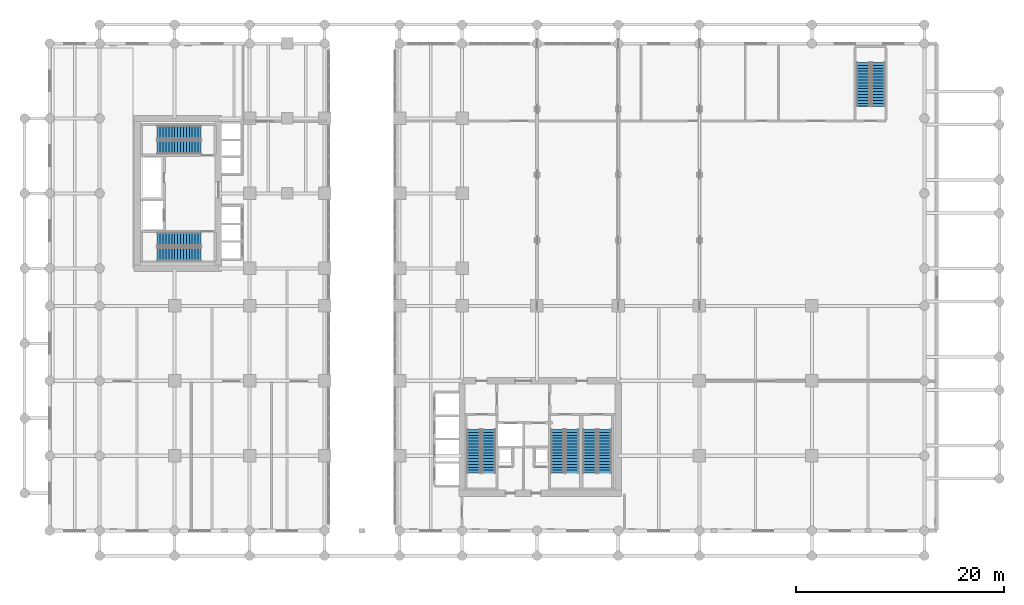
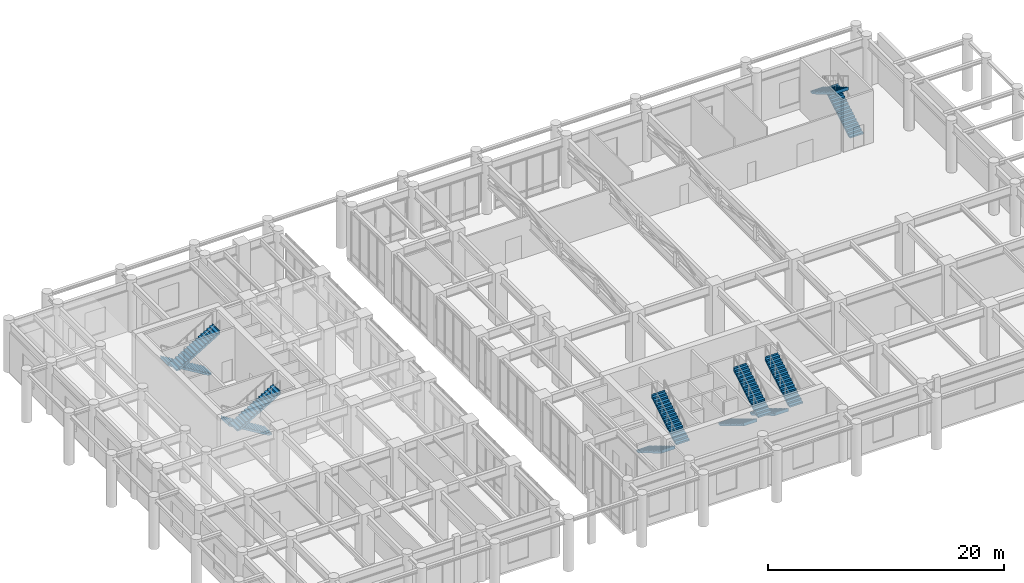
# One storey, part 20 of 24: 12 stair flights, 6 elements without a shape of their own.
"""IFC4 building model written with IfcOpenShell, lengths in metres."""

import ifcopenshell
import ifcopenshell.guid

model = None  # the IFC model being written
_history = None  # IfcOwnerHistory: only IFC2X3 demands one
_inside = {}  # id of a spatial element -> (the spatial element, [elements in it])
_under = {}  # id of a project, library or spatial element -> (it, [spatial elements below it])
_declared = {}  # id of a project -> (the project, [libraries it declares])
_typed = {}  # id of a type object -> (the type object, [elements of that type])
_made_of = {}  # id of a material, layer set ... -> (it, [elements and type objects made of it])


def new_model(schema):
    """Start an empty IFC model of exactly this schema.

    Asked for "IFC4X3", IfcOpenShell would pick the latest addendum, in which some entities
    have other attributes; the version numbers below select the first issue.
    IFC2X3 requires an IfcOwnerHistory on every rooted entity: one is made here for all.
    """
    global model, _history
    if schema == "IFC4X3":
        model = ifcopenshell.file(schema_version=(4, 3, 0, 0))
    else:
        model = ifcopenshell.file(schema=schema)
    _inside.clear()
    _under.clear()
    _declared.clear()
    _typed.clear()
    _made_of.clear()
    _history = None
    if model.schema == "IFC2X3":
        org = make("IfcOrganization", Name="unknown")
        user = make(
            "IfcPersonAndOrganization",
            ThePerson=make("IfcPerson", FamilyName="unknown"),
            TheOrganization=org,
        )
        app = make(
            "IfcApplication",
            ApplicationDeveloper=org,
            Version="unknown",
            ApplicationFullName="unknown",
            ApplicationIdentifier="unknown",
        )
        _history = make(
            "IfcOwnerHistory",
            OwningUser=user,
            OwningApplication=app,
            ChangeAction="ADDED",
            CreationDate=0,
        )
    return model


def make(cls, **values):
    """One entity of the class cls with the attributes given. An attribute that is None is left unset."""
    return model.create_entity(
        cls, **{name: value for name, value in values.items() if value is not None}
    )


def rooted(cls, **values):
    """An entity with a GlobalId (a new one), such as an element, a storey or a relation."""
    return make(cls, GlobalId=ifcopenshell.guid.new(), OwnerHistory=_history, **values)


def si_unit(unit_type, name, prefix=None):
    """IfcSIUnit, for example si_unit("LENGTHUNIT", "METRE", prefix="MILLI")."""
    return make("IfcSIUnit", UnitType=unit_type, Prefix=prefix, Name=name)


def derived_unit(unit_type, elements):
    """IfcDerivedUnit: a product of units, each with its exponent."""
    return make(
        "IfcDerivedUnit",
        Elements=[
            make("IfcDerivedUnitElement", Unit=unit, Exponent=power)
            for unit, power in elements
        ],
        UnitType=unit_type,
    )


def assignment(units):
    """IfcUnitAssignment: the units of a project."""
    return None if units is None else make("IfcUnitAssignment", Units=units)


def point(xyz):
    """IfcCartesianPoint."""
    return None if xyz is None else make("IfcCartesianPoint", Coordinates=xyz)


def direction(xyz):
    """IfcDirection."""
    return None if xyz is None else make("IfcDirection", DirectionRatios=xyz)


def frame(location, z_axis=None, x_axis=None):
    """IfcAxis2Placement3D, a coordinate frame: its origin and axes. An axis left out is left unset."""
    return make(
        "IfcAxis2Placement3D",
        Location=point(location),
        Axis=direction(z_axis),
        RefDirection=direction(x_axis),
    )


def origin():
    """The frame at (0, 0, 0) with its axes left unset."""
    return frame((0.0, 0.0, 0.0))


def place(relative_to, where):
    """IfcLocalPlacement: puts the frame where relative to a parent placement (None: the world)."""
    return make(
        "IfcLocalPlacement", PlacementRelTo=relative_to, RelativePlacement=where
    )


def context(
    kind, dimensions, precision=None, world=None, true_north=None, identifier=None
):
    """IfcGeometricRepresentationContext, for example the 3D "Model" context."""
    return make(
        "IfcGeometricRepresentationContext",
        ContextIdentifier=identifier,
        ContextType=kind,
        CoordinateSpaceDimension=dimensions,
        Precision=precision,
        WorldCoordinateSystem=world,
        TrueNorth=true_north,
    )


def subcontext(parent, identifier, kind, view, scale=None):
    """IfcGeometricRepresentationSubContext, for example "Body" below "Model"."""
    return make(
        "IfcGeometricRepresentationSubContext",
        ContextIdentifier=identifier,
        ContextType=kind,
        ParentContext=parent,
        TargetScale=scale,
        TargetView=view,
    )


def project(units=None, contexts=None):
    """IfcProject with its units and contexts."""
    return rooted(
        "IfcProject",
        Name="project",
        RepresentationContexts=contexts,
        UnitsInContext=assignment(units),
    )


def spatial(cls, under=None, at=None, **own):
    """A site, building, storey or space (cls), placed at a placement, below another one or the project."""
    s = rooted(cls, ObjectPlacement=at, **own)
    if under is not None:
        _under.setdefault(under.id(), (under, []))[1].append(s)
    return s


def polyline(points):
    """IfcPolyline through the points."""
    return make("IfcPolyline", Points=[point(p) for p in points])


def outline(outer, holes=None, kind="AREA"):
    """IfcArbitraryClosedProfileDef: a profile drawn as a closed curve; with holes, ...WithVoids."""
    if holes is None:
        return make("IfcArbitraryClosedProfileDef", ProfileType=kind, OuterCurve=outer)
    return make(
        "IfcArbitraryProfileDefWithVoids",
        ProfileType=kind,
        OuterCurve=outer,
        InnerCurves=holes,
    )


def extrude(swept, where, along, depth):
    """IfcExtrudedAreaSolid: the profile swept, set in the frame where, extruded along a direction by depth."""
    return make(
        "IfcExtrudedAreaSolid",
        SweptArea=swept,
        Position=where,
        ExtrudedDirection=direction(along),
        Depth=depth,
    )


def shape(context_of_items, identifier, shape_type, items):
    """IfcShapeRepresentation: the items that make up one representation, for example the "Body"."""
    return make(
        "IfcShapeRepresentation",
        ContextOfItems=context_of_items,
        RepresentationIdentifier=identifier,
        RepresentationType=shape_type,
        Items=items,
    )


def source(mapping_origin, context_of_items, identifier, shape_type, items):
    """IfcRepresentationMap: a shape defined once, which mapped items show again and again."""
    return make(
        "IfcRepresentationMap",
        MappingOrigin=mapping_origin,
        MappedRepresentation=shape(context_of_items, identifier, shape_type, items),
    )


def transform(
    local_origin,
    x_axis=None,
    y_axis=None,
    z_axis=None,
    scale=None,
    scale2=None,
    scale3=None,
    uniform=True,
):
    """IfcCartesianTransformationOperator3D, or its non-uniform kind. x_axis, y_axis, z_axis: its Axis1, 2, 3."""
    if uniform:
        return make(
            "IfcCartesianTransformationOperator3D",
            Axis1=direction(x_axis),
            Axis2=direction(y_axis),
            LocalOrigin=point(local_origin),
            Scale=scale,
            Axis3=direction(z_axis),
        )
    return make(
        "IfcCartesianTransformationOperator3DnonUniform",
        Axis1=direction(x_axis),
        Axis2=direction(y_axis),
        LocalOrigin=point(local_origin),
        Scale=scale,
        Axis3=direction(z_axis),
        Scale2=scale2,
        Scale3=scale3,
    )


def mapped(mapping_source, mapping_target):
    """IfcMappedItem: shows the shape of a source again, moved by a transform."""
    return make(
        "IfcMappedItem", MappingSource=mapping_source, MappingTarget=mapping_target
    )


def material(Name=None, Category=None):
    """IfcMaterial."""
    return make("IfcMaterial", Name=Name, Category=Category)


def layer(
    of_material, thickness, ventilated=None, Name=None, Category=None, Priority=None
):
    """IfcMaterialLayer: one layer of a wall or slab, of a material (None: an air gap)."""
    return make(
        "IfcMaterialLayer",
        Material=of_material,
        LayerThickness=thickness,
        IsVentilated=ventilated,
        Name=Name,
        Category=Category,
        Priority=Priority,
    )


def layer_set(layers, Name=None):
    """IfcMaterialLayerSet."""
    return make("IfcMaterialLayerSet", MaterialLayers=layers, LayerSetName=Name)


def made_of(thing, what):
    """Note that an element or type object is made of a material, layer set ...; save() writes the relation."""
    if what is not None:
        _made_of.setdefault(what.id(), (what, []))[1].append(thing)
    return thing


def type_object(cls, material=None, **own):
    """A type object (cls), such as IfcWallType, which elements share."""
    return made_of(rooted(cls, **own), material)


def element(
    cls,
    number,
    at=None,
    inside=None,
    cuts=None,
    type_object=None,
    material=None,
    context=None,
    identifier="Body",
    shape_type=None,
    held_by="IfcProductDefinitionShape",
    body=None,
    shapes=None,
    **own,
):
    """One element of the class cls, such as IfcWall. Its Tag is "e" and its number.

    at: its placement. inside: the storey or other place that contains it. cuts: it is an
    opening in that element (IfcRelVoidsElement). A single representation is given by context,
    identifier, shape_type and body (its items); several are given by shapes. held_by: the class
    of the entity that holds the representations. save() writes the other relations.
    """
    e = rooted(cls, Tag="e%d" % number, ObjectPlacement=at, **own)
    if body is not None:
        shapes = [shape(context, identifier, shape_type, body)]
    if shapes is not None:
        e.Representation = make(held_by, Representations=shapes)
    if inside is not None:
        _inside.setdefault(inside.id(), (inside, []))[1].append(e)
    if cuts is not None:
        rooted(
            "IfcRelVoidsElement", RelatingBuildingElement=cuts, RelatedOpeningElement=e
        )
    if type_object is not None:
        _typed.setdefault(type_object.id(), (type_object, []))[1].append(e)
    return made_of(e, material)


def aggregate(whole, parts):
    """IfcRelAggregates: a whole, such as a stair, and the parts it consists of."""
    return rooted("IfcRelAggregates", RelatingObject=whole, RelatedObjects=parts)


def save(model, path):
    """Write the relations noted so far, then the file.

    IfcRelAggregates (storeys below a building ...), IfcRelContainedInSpatialStructure (elements
    in a storey), IfcRelDefinesByType, IfcRelAssociatesMaterial and IfcRelDeclares: one each for
    every whole, place, type object, material and project.
    """
    for whole, parts in _under.values():
        aggregate(whole, parts)
    for where, things in _inside.values():
        rooted(
            "IfcRelContainedInSpatialStructure",
            RelatedElements=things,
            RelatingStructure=where,
        )
    for kind, things in _typed.values():
        rooted("IfcRelDefinesByType", RelatedObjects=things, RelatingType=kind)
    for what, things in _made_of.values():
        rooted("IfcRelAssociatesMaterial", RelatedObjects=things, RelatingMaterial=what)
    for by, libraries in _declared.values():
        rooted("IfcRelDeclares", RelatingContext=by, RelatedDefinitions=libraries)
    model.write(path)


model = new_model("IFC4")

# Units and contexts
model_context = context("Model", 3, precision=1e-05, world=origin(), true_north=direction((0.0, 1.0)))
body_context = subcontext(model_context, "Body", "Model", "MODEL_VIEW")
ifc_project = project(units=[si_unit("LENGTHUNIT", "METRE"), si_unit("AREAUNIT", "SQUARE_METRE"), si_unit("VOLUMEUNIT", "CUBIC_METRE"), si_unit("PLANEANGLEUNIT", "RADIAN"), si_unit("MASSUNIT", "GRAM", prefix="KILO"), si_unit("THERMODYNAMICTEMPERATUREUNIT", "KELVIN"), si_unit("POWERUNIT", "WATT"), derived_unit("THERMALTRANSMITTANCEUNIT", [(si_unit("POWERUNIT", "WATT"), 1), (si_unit("AREAUNIT", "SQUARE_METRE"), -1), (si_unit("THERMODYNAMICTEMPERATUREUNIT", "KELVIN"), -1)])], contexts=[model_context])

# Site, building, storey
site_placement = place(None, origin())
site = spatial("IfcSite", under=ifc_project, at=site_placement, CompositionType="ELEMENT")
building_placement = place(site_placement, origin())
building = spatial("IfcBuilding", under=site, at=building_placement, Name="Zahravan Archway Hotel and Residences", CompositionType="ELEMENT")
storey_placement = place(building_placement, frame((0.0, 0.0, 10.800048828125)))
storey = spatial("IfcBuildingStorey", under=building, at=storey_placement, Name="L02", CompositionType="ELEMENT", Elevation=10.800048828125)

# Stair, stair flights
ifc_material = material(Name="Concrete C50/60", Category="concrete")
stair_type = type_object("IfcStairType", Name="STR-CORE-1300", PredefinedType="HALF_TURN_STAIR", material=ifc_material)
stair_1_placement = place(storey_placement, origin())
stair_1 = element("IfcStair", 1, at=stair_1_placement, inside=storey, type_object=stair_type, Name="L02 Core A Exit Stair 1", PredefinedType="HALF_TURN_STAIR")
ifc_layer = layer(ifc_material, 0.199951171875, Name="Concrete C50/60", Category="concrete")
ifc_layer_set = layer_set([ifc_layer], Name="Concrete C50/60")
stair_flight_type = type_object("IfcStairFlightType", Name="SFL-CORE-1300", PredefinedType="STRAIGHT", material=ifc_layer_set)
shared_shape = source(origin(), body_context, "Body", "SweptSolid", [
    extrude(outline(polyline([(-0.01611328125, 0.0), (-0.01611328125, 0.168701171875), (0.280029296875, 0.168701171875), (0.280029296875, 0.33740234375), (0.56005859375, 0.33740234375), (0.56005859375, 0.50634765625), (0.840087890625, 0.50634765625), (0.840087890625, 0.675048828125), (1.1201171875, 0.675048828125), (1.1201171875, 0.84375), (1.39990234375, 0.84375), (1.39990234375, 1.012451171875), (1.679931640625, 1.012451171875), (1.679931640625, 1.18115234375), (1.9599609375, 1.18115234375), (1.9599609375, 1.35009765625), (2.239990234375, 1.35009765625), (2.239990234375, 1.518798828125), (2.52001953125, 1.518798828125), (2.52001953125, 1.6875), (2.800048828125, 1.6875), (2.800048828125, 1.856201171875), (3.080078125, 1.856201171875), (3.080078125, 2.02490234375), (3.360107421875, 2.02490234375), (3.360107421875, 2.19384765625), (3.639892578125, 2.19384765625), (3.639892578125, 2.362548828125), (3.919921875, 2.362548828125), (3.919921875, 2.53125), (4.199951171875, 2.53125), (4.199951171875, 2.699951171875), (4.216064453125, 2.699951171875), (4.216064453125, 2.356201171875), (0.29052734375, 0.0), (-0.01611328125, 0.0)])), frame((0.0, 0.64990234375, 0.0), z_axis=(0.0, -1.0, 0.0), x_axis=(1.0, 0.0, 0.0)), (0.0, 0.0, 1.0), 1.300048828125),
])
stair_flight_1_placement = place(storey_placement, frame((35.949951171875, 9.72998046875, 0.0), z_axis=(0.0, 0.0, 1.0), x_axis=(0.0, -1.0, 0.0)))
stair_flight_1 = element("IfcStairFlight", 2, at=stair_flight_1_placement, type_object=stair_flight_type, Name="ST-A1 flight 1", NumberOfRisers=16, NumberOfTreads=15, PredefinedType="STRAIGHT", RiserHeight=0.16875, TreadLength=0.28, context=body_context, shape_type="MappedRepresentation", body=[
    mapped(shared_shape, transform((0.0, 0.0, 0.0), scale=1.0)),
])
stair_flight_2_placement = place(storey_placement, frame((37.389892578125, 5.530029296875, 2.699951171875), z_axis=(0.0, 0.0, 1.0), x_axis=(0.0, 1.0, 0.0)))
stair_flight_2 = element("IfcStairFlight", 3, at=stair_flight_2_placement, type_object=stair_flight_type, Name="ST-A1 flight 2", NumberOfRisers=16, NumberOfTreads=15, PredefinedType="STRAIGHT", RiserHeight=0.16875, TreadLength=0.28, context=body_context, shape_type="MappedRepresentation", body=[
    mapped(shared_shape, transform((0.0, 0.0, 0.0), scale=1.0)),
])
aggregate(stair_1, [stair_flight_1, stair_flight_2])

stair_2_placement = place(storey_placement, origin())
stair_2 = element("IfcStair", 4, at=stair_2_placement, inside=storey, type_object=stair_type, Name="L02 Core A Exit Stair 2", PredefinedType="HALF_TURN_STAIR")
stair_flight_3_placement = place(storey_placement, frame((43.969970703125, 9.72998046875, 0.0), z_axis=(0.0, 0.0, 1.0), x_axis=(0.0, -1.0, 0.0)))
stair_flight_3 = element("IfcStairFlight", 5, at=stair_flight_3_placement, type_object=stair_flight_type, Name="ST-A2 flight 1", NumberOfRisers=16, NumberOfTreads=15, PredefinedType="STRAIGHT", RiserHeight=0.16875, TreadLength=0.28, context=body_context, shape_type="MappedRepresentation", body=[
    mapped(shared_shape, transform((0.0, 0.0, 0.0), scale=1.0)),
])
stair_flight_4_placement = place(storey_placement, frame((45.409912109375, 5.530029296875, 2.699951171875), z_axis=(0.0, 0.0, 1.0), x_axis=(0.0, 1.0, 0.0)))
stair_flight_4 = element("IfcStairFlight", 6, at=stair_flight_4_placement, type_object=stair_flight_type, Name="ST-A2 flight 2", NumberOfRisers=16, NumberOfTreads=15, PredefinedType="STRAIGHT", RiserHeight=0.16875, TreadLength=0.28, context=body_context, shape_type="MappedRepresentation", body=[
    mapped(shared_shape, transform((0.0, 0.0, 0.0), scale=1.0)),
])
aggregate(stair_2, [stair_flight_3, stair_flight_4])

stair_3_placement = place(storey_placement, origin())
stair_3 = element("IfcStair", 7, at=stair_3_placement, inside=storey, type_object=stair_type, Name="L02 Core A Exit Stair 3", PredefinedType="HALF_TURN_STAIR")
stair_flight_5_placement = place(storey_placement, frame((47.050048828125, 9.72998046875, 0.0), z_axis=(0.0, 0.0, 1.0), x_axis=(0.0, -1.0, 0.0)))
stair_flight_5 = element("IfcStairFlight", 8, at=stair_flight_5_placement, type_object=stair_flight_type, Name="ST-A3 flight 1", NumberOfRisers=16, NumberOfTreads=15, PredefinedType="STRAIGHT", RiserHeight=0.16875, TreadLength=0.28, context=body_context, shape_type="MappedRepresentation", body=[
    mapped(shared_shape, transform((0.0, 0.0, 0.0), scale=1.0)),
])
stair_flight_6_placement = place(storey_placement, frame((48.489990234375, 5.530029296875, 2.699951171875), z_axis=(0.0, 0.0, 1.0), x_axis=(0.0, 1.0, 0.0)))
stair_flight_6 = element("IfcStairFlight", 9, at=stair_flight_6_placement, type_object=stair_flight_type, Name="ST-A3 flight 2", NumberOfRisers=16, NumberOfTreads=15, PredefinedType="STRAIGHT", RiserHeight=0.16875, TreadLength=0.28, context=body_context, shape_type="MappedRepresentation", body=[
    mapped(shared_shape, transform((0.0, 0.0, 0.0), scale=1.0)),
])
aggregate(stair_3, [stair_flight_5, stair_flight_6])

stair_4_placement = place(storey_placement, origin())
stair_4 = element("IfcStair", 10, at=stair_4_placement, inside=storey, type_object=stair_type, Name="L02 Core B Exit Stair 1", PredefinedType="HALF_TURN_STAIR")
stair_flight_7_placement = place(storey_placement, frame((9.72998046875, 27.989990234375, 0.0), z_axis=(0.0, 0.0, 1.0), x_axis=(-1.0, 0.0, 0.0)))
stair_flight_7 = element("IfcStairFlight", 11, at=stair_flight_7_placement, type_object=stair_flight_type, Name="ST-B1 flight 1", NumberOfRisers=16, NumberOfTreads=15, PredefinedType="STRAIGHT", RiserHeight=0.16875, TreadLength=0.28, context=body_context, shape_type="MappedRepresentation", body=[
    mapped(shared_shape, transform((0.0, 0.0, 0.0), scale=1.0)),
])
stair_flight_8_placement = place(storey_placement, frame((5.530029296875, 26.550048828125, 2.699951171875), z_axis=(0.0, 0.0, 1.0), x_axis=(1.0, 0.0, 0.0)))
stair_flight_8 = element("IfcStairFlight", 12, at=stair_flight_8_placement, type_object=stair_flight_type, Name="ST-B1 flight 2", NumberOfRisers=16, NumberOfTreads=15, PredefinedType="STRAIGHT", RiserHeight=0.16875, TreadLength=0.28, context=body_context, shape_type="MappedRepresentation", body=[
    mapped(shared_shape, transform((0.0, 0.0, 0.0), scale=1.0)),
])
aggregate(stair_4, [stair_flight_7, stair_flight_8])

stair_5_placement = place(storey_placement, origin())
stair_5 = element("IfcStair", 13, at=stair_5_placement, inside=storey, type_object=stair_type, Name="L02 Core B Exit Stair 2", PredefinedType="HALF_TURN_STAIR")
stair_flight_9_placement = place(storey_placement, frame((9.72998046875, 38.25, 0.0), z_axis=(0.0, 0.0, 1.0), x_axis=(-1.0, 0.0, 0.0)))
stair_flight_9 = element("IfcStairFlight", 14, at=stair_flight_9_placement, type_object=stair_flight_type, Name="ST-B2 flight 1", NumberOfRisers=16, NumberOfTreads=15, PredefinedType="STRAIGHT", RiserHeight=0.16875, TreadLength=0.28, context=body_context, shape_type="MappedRepresentation", body=[
    mapped(shared_shape, transform((0.0, 0.0, 0.0), scale=1.0)),
])
stair_flight_10_placement = place(storey_placement, frame((5.530029296875, 36.81005859375, 2.699951171875), z_axis=(0.0, 0.0, 1.0), x_axis=(1.0, 0.0, 0.0)))
stair_flight_10 = element("IfcStairFlight", 15, at=stair_flight_10_placement, type_object=stair_flight_type, Name="ST-B2 flight 2", NumberOfRisers=16, NumberOfTreads=15, PredefinedType="STRAIGHT", RiserHeight=0.16875, TreadLength=0.28, context=body_context, shape_type="MappedRepresentation", body=[
    mapped(shared_shape, transform((0.0, 0.0, 0.0), scale=1.0)),
])
aggregate(stair_5, [stair_flight_9, stair_flight_10])

stair_6_placement = place(storey_placement, origin())
stair_6 = element("IfcStair", 16, at=stair_6_placement, inside=storey, type_object=stair_type, Name="L02 East Station Galleria Exit Stair", PredefinedType="HALF_TURN_STAIR")
stair_flight_11_placement = place(storey_placement, frame((74.75, 40.77001953125, 0.0), z_axis=(0.0, 0.0, 1.0), x_axis=(0.0, 1.0, 0.0)))
stair_flight_11 = element("IfcStairFlight", 17, at=stair_flight_11_placement, type_object=stair_flight_type, Name="ST-P1 flight 1", NumberOfRisers=16, NumberOfTreads=15, PredefinedType="STRAIGHT", RiserHeight=0.16875, TreadLength=0.28, context=body_context, shape_type="MappedRepresentation", body=[
    mapped(shared_shape, transform((0.0, 0.0, 0.0), scale=1.0)),
])
stair_flight_12_placement = place(storey_placement, frame((73.31005859375, 44.969970703125, 2.699951171875), z_axis=(0.0, 0.0, 1.0), x_axis=(0.0, -1.0, 0.0)))
stair_flight_12 = element("IfcStairFlight", 18, at=stair_flight_12_placement, type_object=stair_flight_type, Name="ST-P1 flight 2", NumberOfRisers=16, NumberOfTreads=15, PredefinedType="STRAIGHT", RiserHeight=0.16875, TreadLength=0.28, context=body_context, shape_type="MappedRepresentation", body=[
    mapped(shared_shape, transform((0.0, 0.0, 0.0), scale=1.0)),
])
aggregate(stair_6, [stair_flight_11, stair_flight_12])

save(model, "model.ifc")
